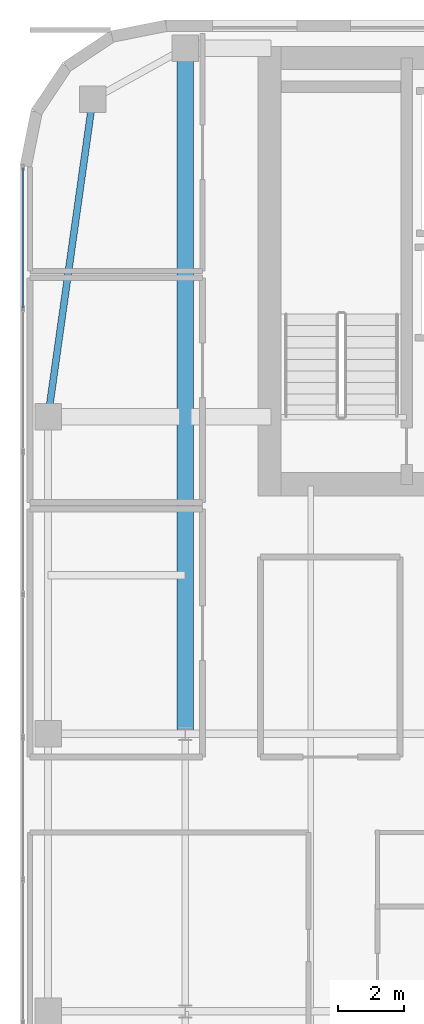
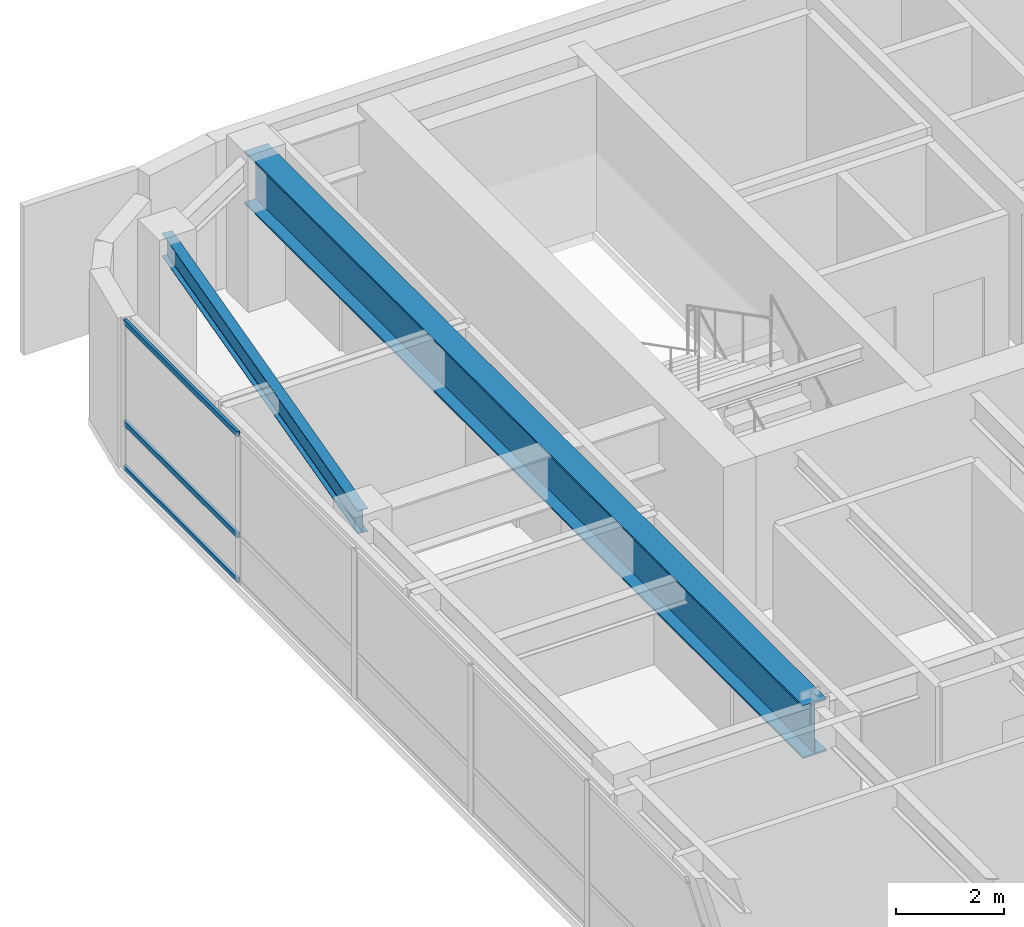
# One storey, part 14 of 24: 3 members, 2 beams, 1 element without a shape of its own.
"""IFC4 building model written with IfcOpenShell, lengths in metres."""

from ifc_helpers import new_model, si_unit, direction, frame, origin, origin_2d, place, context, subcontext, project, spatial, hollow_rectangle, i_section, extrude, source, transform, mapped, material, layer, layer_set, material_profile, profile_set, type_object, type_shapes, element, aggregate, save


model = new_model("IFC4")

# Units and contexts
model_context = context("Model", 3, precision=1e-05, world=origin(), true_north=direction((0.0, 1.0)))
body_context = subcontext(model_context, "Body", "Model", "MODEL_VIEW")
ifc_project = project(units=[si_unit("LENGTHUNIT", "METRE"), si_unit("AREAUNIT", "SQUARE_METRE"), si_unit("VOLUMEUNIT", "CUBIC_METRE"), si_unit("PLANEANGLEUNIT", "RADIAN"), si_unit("MASSUNIT", "GRAM", prefix="KILO")], contexts=[model_context])

# Site, building, storey
site_placement = place(None, origin())
site = spatial("IfcSite", under=ifc_project, at=site_placement, CompositionType="ELEMENT")
building_placement = place(site_placement, origin())
building = spatial("IfcBuilding", under=site, at=building_placement, Name="Tolvann Quenvar Hotel", CompositionType="ELEMENT")
storey_placement = place(building_placement, frame((0.0, 0.0, 194.64990234375)))
storey = spatial("IfcBuildingStorey", under=building, at=storey_placement, Name="L51", CompositionType="ELEMENT", Elevation=194.64990234375)

# Beams
ifc_material_1 = material(Name="Steel Grade 350", Category="steel")
ifc_material_profile_1 = material_profile(ifc_material_1, i_section(OverallWidth=0.5, OverallDepth=1.199951171875, WebThickness=0.01611328125, FlangeThickness=0.0400390625, at=origin_2d()), Name="1200WB455")
ifc_profile_set_1 = profile_set([ifc_material_profile_1], Name="Steel Grade 350")
beam_type_1 = type_object("IfcBeamType", Name="BM_TG_1200WB455", PredefinedType="USERDEFINED", material=ifc_profile_set_1)
shared_shape_1 = source(origin(), body_context, "Body", "SweptSolid", [
    extrude(i_section(OverallWidth=0.5, OverallDepth=1.199951171875, WebThickness=0.01611328125, FlangeThickness=0.0400390625, at=origin_2d()), origin(), (0.0, 0.0, 1.0), 20.75),
])
type_shapes(beam_type_1, [shared_shape_1])
beam_1_placement = place(storey_placement, frame((7.60009765625, 24.39990234375, 2.77001953125), z_axis=(0.0, 1.0, 0.0), x_axis=(-1.0, 0.0, 0.0)))
element("IfcBeam", 1, at=beam_1_placement, inside=storey, type_object=beam_type_1, Name="BM-L51-FLK-WC", ObjectType="TRANSFER GIRDER", PredefinedType="USERDEFINED", context=body_context, shape_type="MappedRepresentation", body=[
    mapped(shared_shape_1, transform((0.0, 0.0, 0.0), x_axis=(1.0, 0.0, 0.0), y_axis=(0.0, 1.0, 0.0), z_axis=(0.0, 0.0, 1.0), scale=1.0)),
])
ifc_material_profile_2 = material_profile(ifc_material_1, i_section(OverallWidth=0.208984375, OverallDepth=0.528076171875, WebThickness=0.009521484375, FlangeThickness=0.01318359375, FilletRadius=0.013916015625, at=origin_2d()), Name="530UB82")
ifc_profile_set_2 = profile_set([ifc_material_profile_2], Name="Steel Grade 350")
beam_type_2 = type_object("IfcBeamType", Name="BM_SPAND_530UB82", PredefinedType="SPANDREL", material=ifc_profile_set_2)
shared_shape_2 = source(origin(), body_context, "Body", "SweptSolid", [
    extrude(i_section(OverallWidth=0.208984375, OverallDepth=0.528076171875, WebThickness=0.009521484375, FlangeThickness=0.01318359375, FilletRadius=0.013916015625, at=origin_2d()), origin(), (0.0, 0.0, 1.0), 9.694580078125),
])
type_shapes(beam_type_2, [shared_shape_2])
beam_2_placement = place(storey_placement, frame((3.449951171875, 34.0, 3.106201171875), z_axis=(0.139263320262, 0.990255385055, 0.0), x_axis=(-0.990255385055, 0.139263320262, 0.0)))
element("IfcBeam", 2, at=beam_2_placement, inside=storey, type_object=beam_type_2, Name="BM-L51-FLK-W2", PredefinedType="SPANDREL", context=body_context, shape_type="MappedRepresentation", body=[
    mapped(shared_shape_2, transform((0.0, 0.0, 0.0), x_axis=(1.0, 0.0, 0.0), y_axis=(0.0, 1.0, 0.0), z_axis=(0.0, 0.0, 1.0), scale=1.0)),
])

# Curtain wall, members
ifc_material_2 = material(Name="Thermally broken anodised architectural aluminium 6063-T6 and laminated low-E glass", Category="aluminium")
ifc_layer = layer(ifc_material_2, 0.179931640625)
ifc_layer_set = layer_set([ifc_layer], Name="Thermally broken anodised architectural aluminium 6063-T6 and laminated low-E glass")
curtain_wall_type = type_object("IfcCurtainWallType", Name="CW_SYS_BAND_04", PredefinedType="USERDEFINED", material=ifc_layer_set)
curtain_wall_placement = place(storey_placement, origin())
curtain_wall = element("IfcCurtainWall", 3, at=curtain_wall_placement, inside=storey, type_object=curtain_wall_type, Name="Curtain Wall CW-BAND-04 (CWR-L51-E23)", ObjectType="UNITISED CURTAIN WALL", PredefinedType="USERDEFINED")
ifc_material_3 = material(Name="Anodised architectural aluminium 6063-T6 framing", Category="aluminium")
ifc_material_profile_3 = material_profile(ifc_material_3, hollow_rectangle(XDim=0.06005859375, YDim=0.1201171875, WallThickness=0.00341796875, at=origin_2d()), Name="120x60x3.5RHS")
ifc_profile_set_3 = profile_set([ifc_material_profile_3], Name="Anodised architectural aluminium 6063-T6 framing")
member_type = type_object("IfcMemberType", Name="CW_TRAN_120x60", PredefinedType="USERDEFINED", material=ifc_profile_set_3)
shared_shape_3 = source(origin(), body_context, "Body", "SweptSolid", [
    extrude(hollow_rectangle(XDim=0.06005859375, YDim=0.1201171875, WallThickness=0.00341796875, at=origin_2d()), origin(), (0.0, 0.0, 1.0), 4.215576171875),
])
type_shapes(member_type, [shared_shape_3])
member_1_placement = place(storey_placement, frame((2.68994140625, 41.5126953125, 0.030029296875), z_axis=(0.0, -1.0, 0.0), x_axis=(1.0, 0.0, 0.0)))
member_1 = element("IfcMember", 4, at=member_1_placement, type_object=member_type, Name="CW-BAND-04 transom 1.1", ObjectType="TRANSOM", PredefinedType="USERDEFINED", context=body_context, shape_type="MappedRepresentation", body=[
    mapped(shared_shape_3, transform((0.0, 0.0, 0.0), x_axis=(1.0, 0.0, 0.0), y_axis=(0.0, 1.0, 0.0), z_axis=(0.0, 0.0, 1.0), scale=1.0)),
])
member_2_placement = place(storey_placement, frame((2.68994140625, 41.5126953125, 1.050048828125), z_axis=(0.0, -1.0, 0.0), x_axis=(1.0, 0.0, 0.0)))
member_2 = element("IfcMember", 5, at=member_2_placement, type_object=member_type, Name="CW-BAND-04 transom 1.2", ObjectType="TRANSOM", PredefinedType="USERDEFINED", context=body_context, shape_type="MappedRepresentation", body=[
    mapped(shared_shape_3, transform((0.0, 0.0, 0.0), x_axis=(1.0, 0.0, 0.0), y_axis=(0.0, 1.0, 0.0), z_axis=(0.0, 0.0, 1.0), scale=1.0)),
])
member_3_placement = place(storey_placement, frame((2.68994140625, 41.5126953125, 3.340087890625), z_axis=(0.0, -1.0, 0.0), x_axis=(1.0, 0.0, 0.0)))
member_3 = element("IfcMember", 6, at=member_3_placement, type_object=member_type, Name="CW-BAND-04 transom 1.3", ObjectType="TRANSOM", PredefinedType="USERDEFINED", context=body_context, shape_type="MappedRepresentation", body=[
    mapped(shared_shape_3, transform((0.0, 0.0, 0.0), x_axis=(1.0, 0.0, 0.0), y_axis=(0.0, 1.0, 0.0), z_axis=(0.0, 0.0, 1.0), scale=1.0)),
])
aggregate(curtain_wall, [member_1, member_2, member_3])

save(model, "model.ifc")
